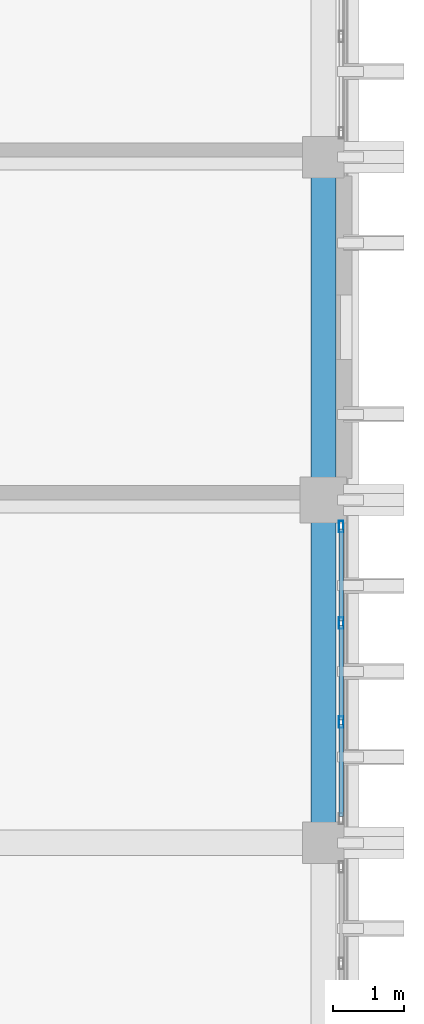
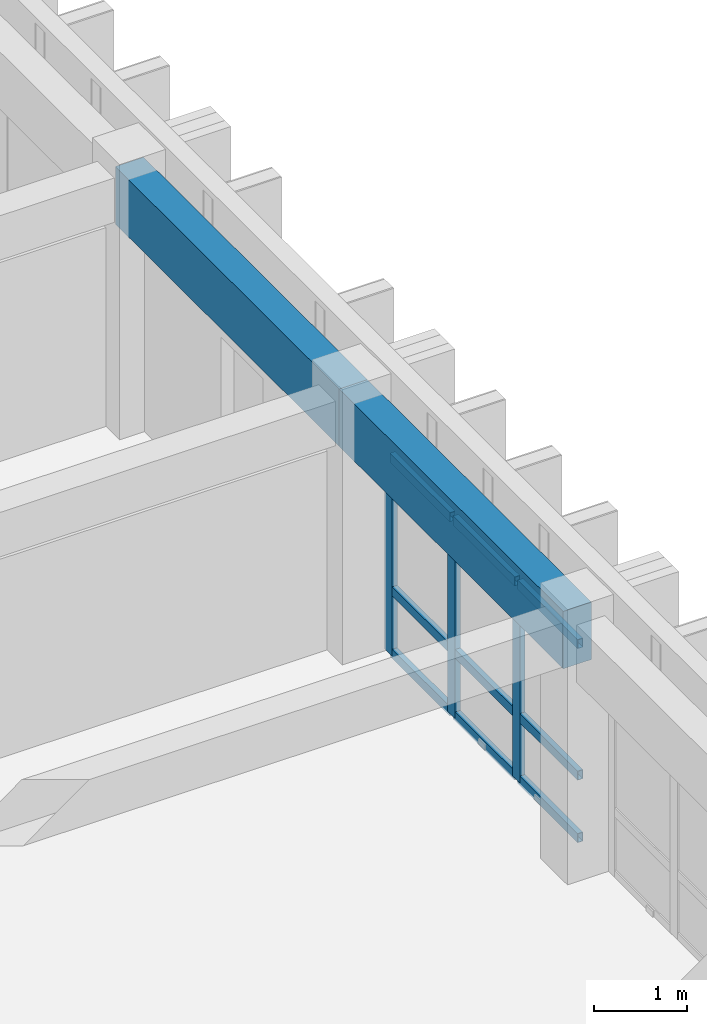
# One storey, part 8 of 49: 12 members, 2 beams, 1 element without a shape of its own.
"""IFC4 building model written with IfcOpenShell, lengths in metres."""

from ifc_helpers import new_model, si_unit, direction, frame, origin, origin_2d, place, context, subcontext, project, spatial, rectangle, hollow_rectangle, extrude, material, layer, layer_set, material_profile, profile_set, type_object, element, aggregate, save


model = new_model("IFC4")

# Units and contexts
model_context = context("Model", 3, precision=1e-05, world=origin(), true_north=direction((0.0, 1.0)))
body_context = subcontext(model_context, "Body", "Model", "MODEL_VIEW")
ifc_project = project(units=[si_unit("LENGTHUNIT", "METRE"), si_unit("AREAUNIT", "SQUARE_METRE"), si_unit("VOLUMEUNIT", "CUBIC_METRE"), si_unit("PLANEANGLEUNIT", "RADIAN"), si_unit("MASSUNIT", "GRAM", prefix="KILO")], contexts=[model_context])

# Site, building, storey
site_placement = place(None, origin())
site = spatial("IfcSite", under=ifc_project, at=site_placement, CompositionType="ELEMENT")
building_placement = place(site_placement, origin())
building = spatial("IfcBuilding", under=site, at=building_placement, Name="Nakhvara Creek Congress Hotel", CompositionType="ELEMENT")
storey_placement = place(building_placement, frame((0.0, 0.0, 39.0)))
storey = spatial("IfcBuildingStorey", under=building, at=storey_placement, Name="L09", CompositionType="ELEMENT", Elevation=39.0)

# Beams
ifc_material_1 = material(Name="Concrete C40/50", Category="concrete")
ifc_material_profile_1 = material_profile(ifc_material_1, rectangle(XDim=0.35009765625, YDim=0.75, at=origin_2d()), Name="RC-SPANDREL 350x750", Category="LoadBearing")
ifc_profile_set_1 = profile_set([ifc_material_profile_1], Name="Concrete C40/50")
beam_type = type_object("IfcBeamType", Name="BM-SPN-350X750", PredefinedType="SPANDREL", material=ifc_profile_set_1)
for number, where, z_axis, x_axis, name in (
    (1, (179.35009765625, 62.39990234375, 2.985107421875), (0.0, 1.0, 0.0), (-1.0, 0.0, 0.0), "Beam SP1-L09-2598"),
    (2, (179.35009765625, 67.199951171875, 2.985107421875), (0.0, 1.0, 0.0), (-1.0, 0.0, 0.0), "Beam SP1-L09-2599"),
):
    element("IfcBeam", number, at=place(storey_placement, frame(where, z_axis=z_axis, x_axis=x_axis)), inside=storey, type_object=beam_type, Name=name, PredefinedType="SPANDREL", context=body_context, shape_type="SweptSolid", body=[
        extrude(rectangle(XDim=0.35009765625, YDim=0.75, at=origin_2d()), origin(), (0.0, 0.0, 1.0), 4.800048828125),
    ])

# Curtain wall, members
ifc_material_2 = material(Name="Bronze-anodised aluminium AW-6063-T6 and double-silver low-E glass", Category="aluminium")
ifc_layer = layer(ifc_material_2, 0.199951171875)
ifc_layer_set = layer_set([ifc_layer], Name="Bronze-anodised aluminium AW-6063-T6 and double-silver low-E glass")
curtain_wall_type = type_object("IfcCurtainWallType", Name="CW-HTL-UNIT", PredefinedType="USERDEFINED", material=ifc_layer_set)
curtain_wall_placement = place(storey_placement, origin())
curtain_wall = element("IfcCurtainWall", 3, at=curtain_wall_placement, inside=storey, type_object=curtain_wall_type, Name="Curtain Wall CW297", ObjectType="UNITISED", PredefinedType="USERDEFINED")
ifc_material_3 = material(Name="Bronze-anodised aluminium AW-6063-T6", Category="aluminium")
ifc_material_profile_2 = material_profile(ifc_material_3, hollow_rectangle(XDim=0.06494140625, YDim=0.159912109375, WallThickness=0.00390625, at=origin_2d()), Name="ALU-MULL 65x160x4", Category="LoadBearing")
ifc_profile_set_2 = profile_set([ifc_material_profile_2], Name="Bronze-anodised aluminium AW-6063-T6")
member_type_1 = type_object("IfcMemberType", Name="CW-MULL-160", PredefinedType="MULLION", material=ifc_profile_set_2)
member_1_placement = place(storey_placement, frame((179.60009765625, 66.827392578125, 0.0), z_axis=(0.0, 0.0, 1.0), x_axis=(1.0, 0.0, 0.0)))
member_1 = element("IfcMember", 4, at=member_1_placement, type_object=member_type_1, Name="CW297 mullion 1", PredefinedType="MULLION", context=body_context, shape_type="SweptSolid", body=[
    extrude(hollow_rectangle(XDim=0.06494140625, YDim=0.159912109375, WallThickness=0.00390625, at=origin_2d()), origin(), (0.0, 0.0, 1.0), 2.60205078125),
])
member_2_placement = place(storey_placement, frame((179.60009765625, 65.47509765625, 0.0), z_axis=(0.0, 0.0, 1.0), x_axis=(1.0, 0.0, 0.0)))
member_2 = element("IfcMember", 5, at=member_2_placement, type_object=member_type_1, Name="CW297 mullion 2", PredefinedType="MULLION", context=body_context, shape_type="SweptSolid", body=[
    extrude(hollow_rectangle(XDim=0.06494140625, YDim=0.159912109375, WallThickness=0.00390625, at=origin_2d()), origin(), (0.0, 0.0, 1.0), 2.60205078125),
])
member_3_placement = place(storey_placement, frame((179.60009765625, 64.090087890625, 0.0), z_axis=(0.0, 0.0, 1.0), x_axis=(1.0, 0.0, 0.0)))
member_3 = element("IfcMember", 6, at=member_3_placement, type_object=member_type_1, Name="CW297 mullion 3", PredefinedType="MULLION", context=body_context, shape_type="SweptSolid", body=[
    extrude(hollow_rectangle(XDim=0.06494140625, YDim=0.159912109375, WallThickness=0.00390625, at=origin_2d()), origin(), (0.0, 0.0, 1.0), 2.60205078125),
])
ifc_material_profile_3 = material_profile(ifc_material_3, hollow_rectangle(XDim=0.06494140625, YDim=0.1201171875, WallThickness=0.00390625, at=origin_2d()), Name="ALU-TRAN 65x120x4", Category="LoadBearing")
ifc_profile_set_3 = profile_set([ifc_material_profile_3], Name="Bronze-anodised aluminium AW-6063-T6")
member_type_2 = type_object("IfcMemberType", Name="CW-TRAN-120", PredefinedType="USERDEFINED", material=ifc_profile_set_3)
member_4_placement = place(storey_placement, frame((179.60009765625, 66.794921875, 0.032470703125), z_axis=(0.0, -1.0, 0.0), x_axis=(1.0, 0.0, 0.0)))
member_4 = element("IfcMember", 7, at=member_4_placement, type_object=member_type_2, Name="CW297 transom 1.1", ObjectType="TRANSOM", PredefinedType="USERDEFINED", context=body_context, shape_type="SweptSolid", body=[
    extrude(hollow_rectangle(XDim=0.06494140625, YDim=0.1201171875, WallThickness=0.00390625, at=origin_2d()), origin(), (0.0, 0.0, 1.0), 1.287353515625),
])
member_5_placement = place(storey_placement, frame((179.60009765625, 66.794921875, 0.85009765625), z_axis=(0.0, -1.0, 0.0), x_axis=(1.0, 0.0, 0.0)))
member_5 = element("IfcMember", 8, at=member_5_placement, type_object=member_type_2, Name="CW297 transom 1.2", ObjectType="TRANSOM", PredefinedType="USERDEFINED", context=body_context, shape_type="SweptSolid", body=[
    extrude(hollow_rectangle(XDim=0.06494140625, YDim=0.1201171875, WallThickness=0.00390625, at=origin_2d()), origin(), (0.0, 0.0, 1.0), 1.287353515625),
])
member_6_placement = place(storey_placement, frame((179.60009765625, 66.794921875, 2.569580078125), z_axis=(0.0, -1.0, 0.0), x_axis=(1.0, 0.0, 0.0)))
member_6 = element("IfcMember", 9, at=member_6_placement, type_object=member_type_2, Name="CW297 transom 1.3", ObjectType="TRANSOM", PredefinedType="USERDEFINED", context=body_context, shape_type="SweptSolid", body=[
    extrude(hollow_rectangle(XDim=0.06494140625, YDim=0.1201171875, WallThickness=0.00390625, at=origin_2d()), origin(), (0.0, 0.0, 1.0), 1.287353515625),
])
member_7_placement = place(storey_placement, frame((179.60009765625, 65.4423828125, 0.032470703125), z_axis=(0.0, -1.0, 0.0), x_axis=(1.0, 0.0, 0.0)))
member_7 = element("IfcMember", 10, at=member_7_placement, type_object=member_type_2, Name="CW297 transom 2.1", ObjectType="TRANSOM", PredefinedType="USERDEFINED", context=body_context, shape_type="SweptSolid", body=[
    extrude(hollow_rectangle(XDim=0.06494140625, YDim=0.1201171875, WallThickness=0.00390625, at=origin_2d()), origin(), (0.0, 0.0, 1.0), 1.31982421875),
])
member_8_placement = place(storey_placement, frame((179.60009765625, 65.4423828125, 0.85009765625), z_axis=(0.0, -1.0, 0.0), x_axis=(1.0, 0.0, 0.0)))
member_8 = element("IfcMember", 11, at=member_8_placement, type_object=member_type_2, Name="CW297 transom 2.2", ObjectType="TRANSOM", PredefinedType="USERDEFINED", context=body_context, shape_type="SweptSolid", body=[
    extrude(hollow_rectangle(XDim=0.06494140625, YDim=0.1201171875, WallThickness=0.00390625, at=origin_2d()), origin(), (0.0, 0.0, 1.0), 1.31982421875),
])
member_9_placement = place(storey_placement, frame((179.60009765625, 65.4423828125, 2.569580078125), z_axis=(0.0, -1.0, 0.0), x_axis=(1.0, 0.0, 0.0)))
member_9 = element("IfcMember", 12, at=member_9_placement, type_object=member_type_2, Name="CW297 transom 2.3", ObjectType="TRANSOM", PredefinedType="USERDEFINED", context=body_context, shape_type="SweptSolid", body=[
    extrude(hollow_rectangle(XDim=0.06494140625, YDim=0.1201171875, WallThickness=0.00390625, at=origin_2d()), origin(), (0.0, 0.0, 1.0), 1.31982421875),
])
member_10_placement = place(storey_placement, frame((179.60009765625, 64.0576171875, 0.032470703125), z_axis=(0.0, -1.0, 0.0), x_axis=(1.0, 0.0, 0.0)))
member_10 = element("IfcMember", 13, at=member_10_placement, type_object=member_type_2, Name="CW297 transom 3.1", ObjectType="TRANSOM", PredefinedType="USERDEFINED", context=body_context, shape_type="SweptSolid", body=[
    extrude(hollow_rectangle(XDim=0.06494140625, YDim=0.1201171875, WallThickness=0.00390625, at=origin_2d()), origin(), (0.0, 0.0, 1.0), 1.28759765625),
])
member_11_placement = place(storey_placement, frame((179.60009765625, 64.0576171875, 0.85009765625), z_axis=(0.0, -1.0, 0.0), x_axis=(1.0, 0.0, 0.0)))
member_11 = element("IfcMember", 14, at=member_11_placement, type_object=member_type_2, Name="CW297 transom 3.2", ObjectType="TRANSOM", PredefinedType="USERDEFINED", context=body_context, shape_type="SweptSolid", body=[
    extrude(hollow_rectangle(XDim=0.06494140625, YDim=0.1201171875, WallThickness=0.00390625, at=origin_2d()), origin(), (0.0, 0.0, 1.0), 1.28759765625),
])
member_12_placement = place(storey_placement, frame((179.60009765625, 64.0576171875, 2.569580078125), z_axis=(0.0, -1.0, 0.0), x_axis=(1.0, 0.0, 0.0)))
member_12 = element("IfcMember", 15, at=member_12_placement, type_object=member_type_2, Name="CW297 transom 3.3", ObjectType="TRANSOM", PredefinedType="USERDEFINED", context=body_context, shape_type="SweptSolid", body=[
    extrude(hollow_rectangle(XDim=0.06494140625, YDim=0.1201171875, WallThickness=0.00390625, at=origin_2d()), origin(), (0.0, 0.0, 1.0), 1.28759765625),
])
aggregate(curtain_wall, [member_1, member_2, member_3, member_4, member_5, member_6, member_7, member_8, member_9, member_10, member_11, member_12])

save(model, "model.ifc")
